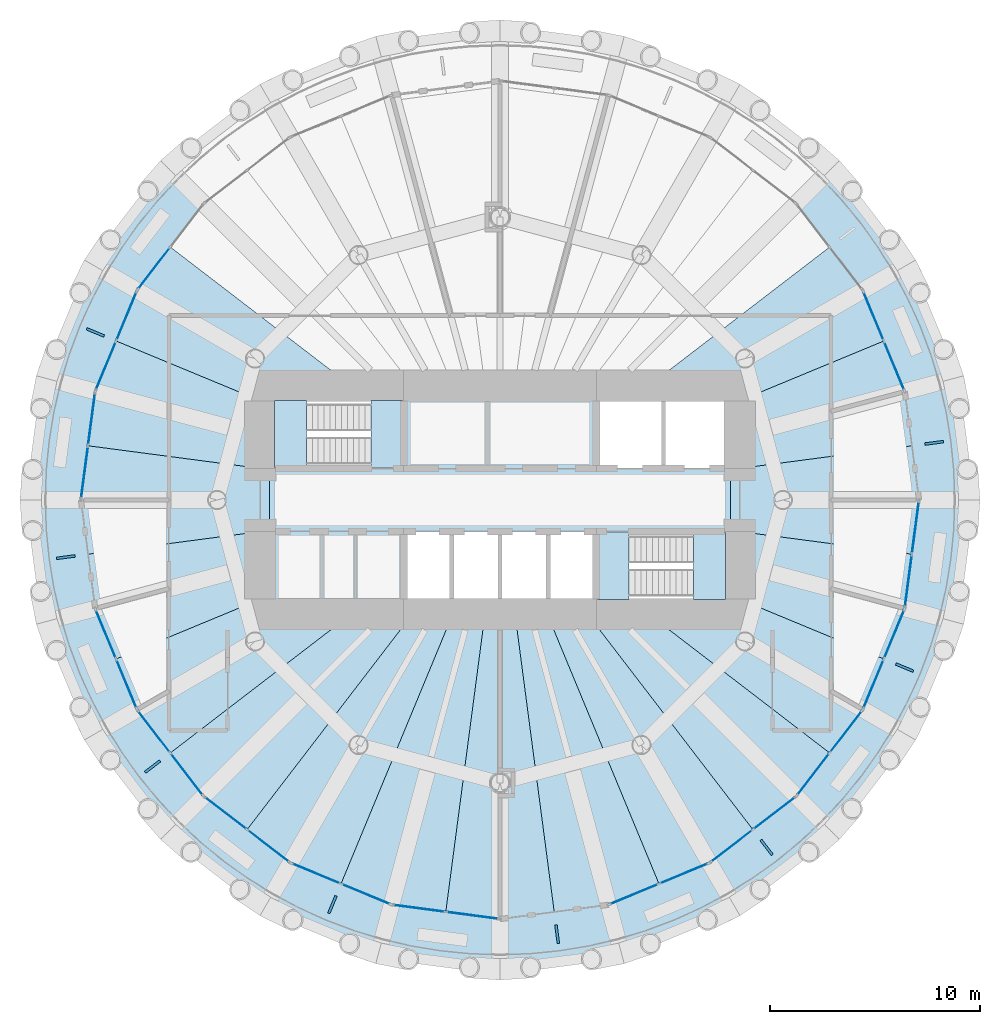
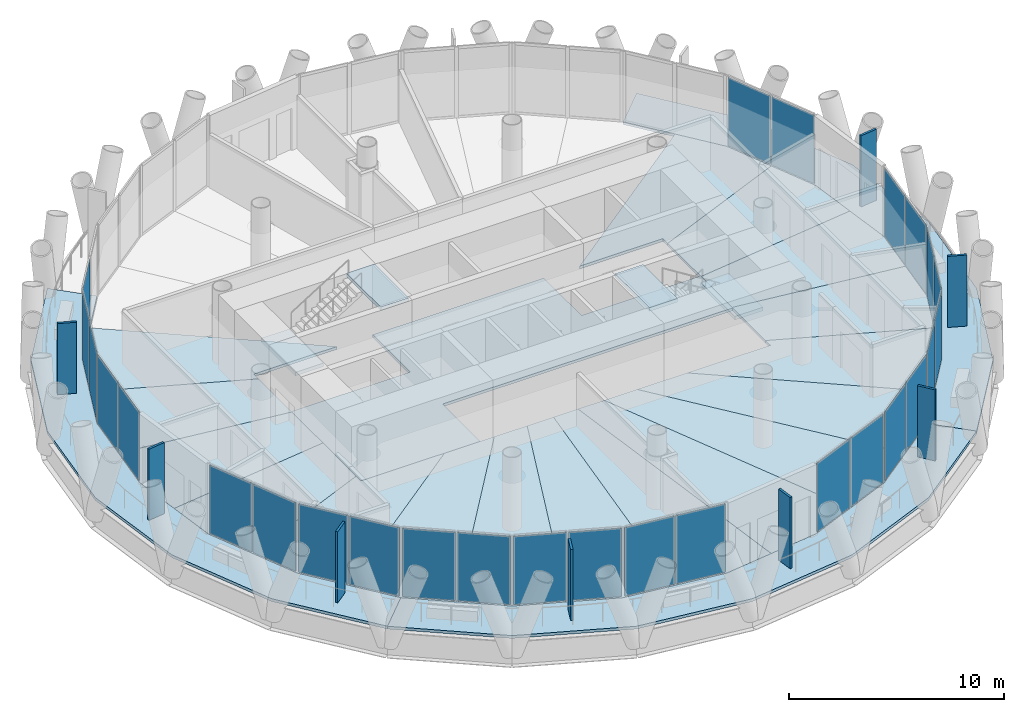
# One storey, part 7 of 13: 35 plates, 25 slabs, 16 elements without a shape of their own.
"""IFC4 building model written with IfcOpenShell, lengths in metres."""

from ifc_helpers import new_model, si_unit, direction, frame, origin, origin_2d, place, context, subcontext, project, spatial, polyline, rectangle, outline, extrude, material, layer, layer_set, type_object, element, aggregate, save


model = new_model("IFC4")

# Units and contexts
model_context = context("Model", 3, precision=1e-05, world=origin(), true_north=direction((0.0, 1.0)))
body_context = subcontext(model_context, "Body", "Model", "MODEL_VIEW")
ifc_project = project(units=[si_unit("LENGTHUNIT", "METRE"), si_unit("AREAUNIT", "SQUARE_METRE"), si_unit("VOLUMEUNIT", "CUBIC_METRE"), si_unit("PLANEANGLEUNIT", "RADIAN"), si_unit("MASSUNIT", "GRAM", prefix="KILO")], contexts=[model_context])

# Site, building, storey
site_placement = place(None, origin())
site = spatial("IfcSite", under=ifc_project, at=site_placement, CompositionType="ELEMENT")
building_placement = place(site_placement, origin())
building = spatial("IfcBuilding", under=site, at=building_placement, Name="Qaws Media Tower", CompositionType="ELEMENT")
storey_placement = place(building_placement, frame((0.0, 0.0, 244.39990234375)))
storey = spatial("IfcBuildingStorey", under=building, at=storey_placement, Name="L56", CompositionType="ELEMENT", Elevation=244.39990234375)

# Slabs
ifc_material_1 = material(Name="Concrete C35/45", Category="concrete")
ifc_layer_1 = layer(ifc_material_1, 0.159912109375)
ifc_layer_set_1 = layer_set([ifc_layer_1], Name="Composite balcony slab 160")
slab_type_1 = type_object("IfcSlabType", Name="Composite balcony slab 160", PredefinedType="FLOOR", material=ifc_layer_set_1)
slab_1_placement = place(storey_placement, frame((0.0, 0.0, -0.159912109375)))
element("IfcSlab", 1, at=slab_1_placement, inside=storey, type_object=slab_type_1, Name="S2 balcony slab L56 R10 to R16, movement joints on R10 and R16", PredefinedType="FLOOR", context=body_context, shape_type="SweptSolid", body=[
    extrude(outline(polyline([(40.60107421875, 38.800048828125), (38.36328125, 44.202392578125), (37.60009765625, 50.0), (38.36328125, 55.797607421875), (40.60107421875, 61.199951171875), (44.160888671875, 65.839111328125), (45.85791015625, 64.14208984375), (42.679443359375, 60.0), (40.681396484375, 55.176513671875), (40.0, 50.0), (40.681396484375, 44.823486328125), (42.679443359375, 40.0), (45.85791015625, 35.85791015625), (44.160888671875, 34.160888671875), (40.60107421875, 38.800048828125)])), origin(), (0.0, 0.0, 1.0), 0.159912109375),
])
slab_2_placement = place(storey_placement, frame((0.0, 0.0, -0.159912109375)))
element("IfcSlab", 2, at=slab_2_placement, inside=storey, type_object=slab_type_1, Name="S2 balcony slab L56 R16 to R22, movement joints on R16 and R22", PredefinedType="FLOOR", context=body_context, shape_type="SweptSolid", body=[
    extrude(outline(polyline([(71.199951171875, 30.60107421875), (65.797607421875, 28.36328125), (60.0, 27.60009765625), (54.202392578125, 28.36328125), (48.800048828125, 30.60107421875), (44.160888671875, 34.160888671875), (45.85791015625, 35.85791015625), (50.0, 32.679443359375), (54.823486328125, 30.681396484375), (60.0, 30.0), (65.176513671875, 30.681396484375), (70.0, 32.679443359375), (74.14208984375, 35.85791015625), (75.839111328125, 34.160888671875), (71.199951171875, 30.60107421875)])), origin(), (0.0, 0.0, 1.0), 0.159912109375),
])
slab_3_placement = place(storey_placement, frame((0.0, 0.0, -0.159912109375)))
element("IfcSlab", 3, at=slab_3_placement, inside=storey, type_object=slab_type_1, Name="S2 balcony slab L56 R22 to R04, movement joints on R22 and R04", PredefinedType="FLOOR", context=body_context, shape_type="SweptSolid", body=[
    extrude(outline(polyline([(79.39892578125, 38.800048828125), (75.839111328125, 34.160888671875), (74.14208984375, 35.85791015625), (77.320556640625, 40.0), (79.318603515625, 44.823486328125), (80.0, 50.0), (79.318603515625, 55.176513671875), (77.320556640625, 60.0), (74.14208984375, 64.14208984375), (75.839111328125, 65.839111328125), (79.39892578125, 61.199951171875), (81.63671875, 55.797607421875), (82.39990234375, 50.0), (81.63671875, 44.202392578125), (79.39892578125, 38.800048828125)])), origin(), (0.0, 0.0, 1.0), 0.159912109375),
])
ifc_material_2 = material(Name="Concrete C35/45", Category="concrete")
ifc_layer_2 = layer(ifc_material_2, 0.159912109375)
ifc_layer_set_2 = layer_set([ifc_layer_2], Name="Composite floor slab 160")
slab_type_2 = type_object("IfcSlabType", Name="Composite floor slab 160", PredefinedType="FLOOR", material=ifc_layer_set_2)
slab_4_placement = place(storey_placement, frame((0.0, 0.0, -0.159912109375)))
element("IfcSlab", 4, at=slab_4_placement, inside=storey, type_object=slab_type_2, Name="S1 core floor slab L56", PredefinedType="FLOOR", context=body_context, shape_type="SweptSolid", body=[
    extrude(outline(polyline([(71.0, 51.5), (71.0, 48.5), (55.39990234375, 48.5), (55.39990234375, 45.0), (49.0, 45.0), (49.0, 51.5), (55.39990234375, 51.5), (55.39990234375, 55.0), (64.60009765625, 55.0), (64.60009765625, 51.5), (71.0, 51.5)])), origin(), (0.0, 0.0, 1.0), 0.159912109375),
])
slab_5_placement = place(storey_placement, frame((0.0, 0.0, -0.159912109375)))
element("IfcSlab", 5, at=slab_5_placement, inside=storey, type_object=slab_type_2, Name="S1 floor panel L56 on R01", PredefinedType="FLOOR", context=body_context, shape_type="SweptSolid", body=[
    extrude(outline(polyline([(80.0, 50.0), (79.6591796875, 47.411865234375), (71.0, 48.5517578125), (71.0, 51.4482421875), (79.6591796875, 52.588134765625), (80.0, 50.0)])), origin(), (0.0, 0.0, 1.0), 0.159912109375),
])
slab_6_placement = place(storey_placement, frame((0.0, 0.0, -0.159912109375)))
element("IfcSlab", 6, at=slab_6_placement, inside=storey, type_object=slab_type_2, Name="S1 floor panel L56 on R02", PredefinedType="FLOOR", context=body_context, shape_type="SweptSolid", body=[
    extrude(outline(polyline([(79.318603515625, 55.176513671875), (79.6591796875, 52.588134765625), (71.0, 51.4482421875), (71.0, 54.556396484375), (78.319580078125, 57.588134765625), (79.318603515625, 55.176513671875)])), origin(), (0.0, 0.0, 1.0), 0.159912109375),
])
slab_7_placement = place(storey_placement, frame((0.0, 0.0, -0.159912109375)))
element("IfcSlab", 7, at=slab_7_placement, inside=storey, type_object=slab_type_2, Name="S1 floor panel L56 on R03", PredefinedType="FLOOR", context=body_context, shape_type="SweptSolid", body=[
    extrude(outline(polyline([(77.320556640625, 60.0), (78.319580078125, 57.588134765625), (71.0, 54.556396484375), (71.0, 55.0), (66.51611328125, 55.0), (75.731201171875, 62.071044921875), (77.320556640625, 60.0)])), origin(), (0.0, 0.0, 1.0), 0.159912109375),
])
slab_8_placement = place(storey_placement, frame((0.0, 0.0, -0.159912109375)))
element("IfcSlab", 8, at=slab_8_placement, inside=storey, type_object=slab_type_2, Name="S1 floor panel L56 on R11", PredefinedType="FLOOR", context=body_context, shape_type="SweptSolid", body=[
    extrude(outline(polyline([(42.679443359375, 60.0), (44.268798828125, 62.071044921875), (53.48388671875, 55.0), (49.0, 55.0), (49.0, 54.556396484375), (41.680419921875, 57.588134765625), (42.679443359375, 60.0)])), origin(), (0.0, 0.0, 1.0), 0.159912109375),
])
slab_9_placement = place(storey_placement, frame((0.0, 0.0, -0.159912109375)))
element("IfcSlab", 9, at=slab_9_placement, inside=storey, type_object=slab_type_2, Name="S1 floor panel L56 on R12", PredefinedType="FLOOR", context=body_context, shape_type="SweptSolid", body=[
    extrude(outline(polyline([(40.681396484375, 55.176513671875), (41.680419921875, 57.588134765625), (49.0, 54.556396484375), (49.0, 51.4482421875), (40.3408203125, 52.588134765625), (40.681396484375, 55.176513671875)])), origin(), (0.0, 0.0, 1.0), 0.159912109375),
])
slab_10_placement = place(storey_placement, frame((0.0, 0.0, -0.159912109375)))
element("IfcSlab", 10, at=slab_10_placement, inside=storey, type_object=slab_type_2, Name="S1 floor panel L56 on R13", PredefinedType="FLOOR", context=body_context, shape_type="SweptSolid", body=[
    extrude(outline(polyline([(40.0, 50.0), (40.3408203125, 52.588134765625), (49.0, 51.4482421875), (49.0, 48.5517578125), (40.3408203125, 47.411865234375), (40.0, 50.0)])), origin(), (0.0, 0.0, 1.0), 0.159912109375),
])
slab_11_placement = place(storey_placement, frame((0.0, 0.0, -0.159912109375)))
element("IfcSlab", 11, at=slab_11_placement, inside=storey, type_object=slab_type_2, Name="S1 floor panel L56 on R14", PredefinedType="FLOOR", context=body_context, shape_type="SweptSolid", body=[
    extrude(outline(polyline([(40.681396484375, 44.823486328125), (40.3408203125, 47.411865234375), (49.0, 48.5517578125), (49.0, 45.443603515625), (41.680419921875, 42.411865234375), (40.681396484375, 44.823486328125)])), origin(), (0.0, 0.0, 1.0), 0.159912109375),
])
slab_12_placement = place(storey_placement, frame((0.0, 0.0, -0.159912109375)))
element("IfcSlab", 12, at=slab_12_placement, inside=storey, type_object=slab_type_2, Name="S1 floor panel L56 on R15", PredefinedType="FLOOR", context=body_context, shape_type="SweptSolid", body=[
    extrude(outline(polyline([(42.679443359375, 40.0), (41.680419921875, 42.411865234375), (49.0, 45.443603515625), (49.0, 45.0), (53.48388671875, 45.0), (44.268798828125, 37.928955078125), (42.679443359375, 40.0)])), origin(), (0.0, 0.0, 1.0), 0.159912109375),
])
slab_13_placement = place(storey_placement, frame((0.0, 0.0, -0.159912109375)))
element("IfcSlab", 13, at=slab_13_placement, inside=storey, type_object=slab_type_2, Name="S1 floor panel L56 on R16", PredefinedType="FLOOR", context=body_context, shape_type="SweptSolid", body=[
    extrude(outline(polyline([(45.85791015625, 35.85791015625), (44.268798828125, 37.928955078125), (53.48388671875, 45.0), (56.163330078125, 45.0), (47.928955078125, 34.268798828125), (45.85791015625, 35.85791015625)])), origin(), (0.0, 0.0, 1.0), 0.159912109375),
])
slab_14_placement = place(storey_placement, frame((0.0, 0.0, -0.159912109375)))
element("IfcSlab", 14, at=slab_14_placement, inside=storey, type_object=slab_type_2, Name="S1 floor panel L56 on R17", PredefinedType="FLOOR", context=body_context, shape_type="SweptSolid", body=[
    extrude(outline(polyline([(50.0, 32.679443359375), (47.928955078125, 34.268798828125), (56.163330078125, 45.0), (57.928955078125, 45.0), (52.411865234375, 31.680419921875), (50.0, 32.679443359375)])), origin(), (0.0, 0.0, 1.0), 0.159912109375),
])
slab_15_placement = place(storey_placement, frame((0.0, 0.0, -0.159912109375)))
element("IfcSlab", 15, at=slab_15_placement, inside=storey, type_object=slab_type_2, Name="S1 floor panel L56 on R18", PredefinedType="FLOOR", context=body_context, shape_type="SweptSolid", body=[
    extrude(outline(polyline([(54.823486328125, 30.681396484375), (52.411865234375, 31.680419921875), (57.928955078125, 45.0), (59.341796875, 45.0), (57.411865234375, 30.3408203125), (54.823486328125, 30.681396484375)])), origin(), (0.0, 0.0, 1.0), 0.159912109375),
])
slab_16_placement = place(storey_placement, frame((0.0, 0.0, -0.159912109375)))
element("IfcSlab", 16, at=slab_16_placement, inside=storey, type_object=slab_type_2, Name="S1 floor panel L56 on R19", PredefinedType="FLOOR", context=body_context, shape_type="SweptSolid", body=[
    extrude(outline(polyline([(60.0, 30.0), (57.411865234375, 30.3408203125), (59.341796875, 45.0), (60.658203125, 45.0), (62.588134765625, 30.3408203125), (60.0, 30.0)])), origin(), (0.0, 0.0, 1.0), 0.159912109375),
])
slab_17_placement = place(storey_placement, frame((0.0, 0.0, -0.159912109375)))
element("IfcSlab", 17, at=slab_17_placement, inside=storey, type_object=slab_type_2, Name="S1 floor panel L56 on R20", PredefinedType="FLOOR", context=body_context, shape_type="SweptSolid", body=[
    extrude(outline(polyline([(65.176513671875, 30.681396484375), (62.588134765625, 30.3408203125), (60.658203125, 45.0), (62.071044921875, 45.0), (67.588134765625, 31.680419921875), (65.176513671875, 30.681396484375)])), origin(), (0.0, 0.0, 1.0), 0.159912109375),
])
slab_18_placement = place(storey_placement, frame((0.0, 0.0, -0.159912109375)))
element("IfcSlab", 18, at=slab_18_placement, inside=storey, type_object=slab_type_2, Name="S1 floor panel L56 on R21", PredefinedType="FLOOR", context=body_context, shape_type="SweptSolid", body=[
    extrude(outline(polyline([(70.0, 32.679443359375), (67.588134765625, 31.680419921875), (62.071044921875, 45.0), (63.836669921875, 45.0), (72.071044921875, 34.268798828125), (70.0, 32.679443359375)])), origin(), (0.0, 0.0, 1.0), 0.159912109375),
])
slab_19_placement = place(storey_placement, frame((0.0, 0.0, -0.159912109375)))
element("IfcSlab", 19, at=slab_19_placement, inside=storey, type_object=slab_type_2, Name="S1 floor panel L56 on R22", PredefinedType="FLOOR", context=body_context, shape_type="SweptSolid", body=[
    extrude(outline(polyline([(74.14208984375, 35.85791015625), (72.071044921875, 34.268798828125), (63.836669921875, 45.0), (66.51611328125, 45.0), (75.731201171875, 37.928955078125), (74.14208984375, 35.85791015625)])), origin(), (0.0, 0.0, 1.0), 0.159912109375),
])
slab_20_placement = place(storey_placement, frame((0.0, 0.0, -0.159912109375)))
element("IfcSlab", 20, at=slab_20_placement, inside=storey, type_object=slab_type_2, Name="S1 floor panel L56 on R23", PredefinedType="FLOOR", context=body_context, shape_type="SweptSolid", body=[
    extrude(outline(polyline([(77.320556640625, 40.0), (75.731201171875, 37.928955078125), (66.51611328125, 45.0), (71.0, 45.0), (71.0, 45.443603515625), (78.319580078125, 42.411865234375), (77.320556640625, 40.0)])), origin(), (0.0, 0.0, 1.0), 0.159912109375),
])
slab_21_placement = place(storey_placement, frame((0.0, 0.0, -0.159912109375)))
element("IfcSlab", 21, at=slab_21_placement, inside=storey, type_object=slab_type_2, Name="S1 floor panel L56 on R24", PredefinedType="FLOOR", context=body_context, shape_type="SweptSolid", body=[
    extrude(outline(polyline([(78.319580078125, 42.411865234375), (71.0, 45.443603515625), (71.0, 48.5517578125), (79.6591796875, 47.411865234375), (79.318603515625, 44.823486328125), (78.319580078125, 42.411865234375)])), origin(), (0.0, 0.0, 1.0), 0.159912109375),
])

# Curtain wall, plates
ifc_material_3 = material(Name="Aluminium and clear glass", Category="aluminium")
curtain_wall_type = type_object("IfcCurtainWallType", Name="Unitised curtain wall CW-C", PredefinedType="NOTDEFINED", material=ifc_material_3)
curtain_wall_1_placement = place(storey_placement, origin())
curtain_wall_1 = element("IfcCurtainWall", 22, at=curtain_wall_1_placement, inside=storey, type_object=curtain_wall_type, Name="CWC curtain wall L56-02", PredefinedType="NOTDEFINED")
ifc_material_4 = material(Name="Clear laminated double glazing", Category="glass")
ifc_layer_3 = layer(ifc_material_4, 0.031982421875)
ifc_layer_set_3 = layer_set([ifc_layer_3], Name="Curtain wall glass unit 32")
plate_type_1 = type_object("IfcPlateType", Name="Curtain wall glass unit 32", PredefinedType="CURTAIN_PANEL", material=ifc_layer_set_3)
plate_1_placement = place(storey_placement, frame((78.811279296875, 56.40087890625, 0.080078125), z_axis=(0.0, 0.0, 1.0), x_axis=(-0.382683528904, 0.923879492524, 0.0)))
plate_1 = element("IfcPlate", 23, at=plate_1_placement, type_object=plate_type_1, Name="CWC panel 1.1", PredefinedType="CURTAIN_PANEL", context=body_context, shape_type="SweptSolid", body=[
    extrude(rectangle(XDim=2.490478515625, YDim=0.031982421875, at=origin_2d()), origin(), (0.0, 0.0, 1.0), 3.8798828125),
])
plate_2_placement = place(storey_placement, frame((77.82763671875, 58.775634765625, 0.080078125), z_axis=(0.0, 0.0, 1.0), x_axis=(-0.382683528904, 0.923879492524, 0.0)))
plate_2 = element("IfcPlate", 24, at=plate_2_placement, type_object=plate_type_1, Name="CWC panel 2.1", PredefinedType="CURTAIN_PANEL", context=body_context, shape_type="SweptSolid", body=[
    extrude(rectangle(XDim=2.490478515625, YDim=0.031982421875, at=origin_2d()), origin(), (0.0, 0.0, 1.0), 3.8798828125),
])
aggregate(curtain_wall_1, [plate_1, plate_2])

# Curtain wall, plate
curtain_wall_2_placement = place(storey_placement, origin())
curtain_wall_2 = element("IfcCurtainWall", 25, at=curtain_wall_2_placement, inside=storey, type_object=curtain_wall_type, Name="CWC curtain wall L56-10", PredefinedType="NOTDEFINED")
plate_3_placement = place(storey_placement, frame((43.486328125, 61.051513671875, 0.080078125), z_axis=(0.0, 0.0, 1.0), x_axis=(-0.608761339712, -0.793353408811, 0.0)))
plate_3 = element("IfcPlate", 26, at=plate_3_placement, type_object=plate_type_1, Name="CWC panel 2.1", PredefinedType="CURTAIN_PANEL", context=body_context, shape_type="SweptSolid", body=[
    extrude(rectangle(XDim=2.490478515625, YDim=0.031982421875, at=origin_2d()), origin(), (0.0, 0.0, 1.0), 3.8798828125),
])
aggregate(curtain_wall_2, [plate_3])

# Curtain wall, plates
curtain_wall_3_placement = place(storey_placement, origin())
curtain_wall_3 = element("IfcCurtainWall", 27, at=curtain_wall_3_placement, inside=storey, type_object=curtain_wall_type, Name="CWC curtain wall L56-11", PredefinedType="NOTDEFINED")
plate_4_placement = place(storey_placement, frame((42.17236328125, 58.775634765625, 0.080078125), z_axis=(0.0, 0.0, 1.0), x_axis=(-0.382683528904, -0.923879492524, 0.0)))
plate_4 = element("IfcPlate", 28, at=plate_4_placement, type_object=plate_type_1, Name="CWC panel 1.1", PredefinedType="CURTAIN_PANEL", context=body_context, shape_type="SweptSolid", body=[
    extrude(rectangle(XDim=2.490478515625, YDim=0.031982421875, at=origin_2d()), origin(), (0.0, 0.0, 1.0), 3.8798828125),
])
plate_5_placement = place(storey_placement, frame((41.188720703125, 56.40087890625, 0.080078125), z_axis=(0.0, 0.0, 1.0), x_axis=(-0.382683528904, -0.923879492524, 0.0)))
plate_5 = element("IfcPlate", 29, at=plate_5_placement, type_object=plate_type_1, Name="CWC panel 2.1", PredefinedType="CURTAIN_PANEL", context=body_context, shape_type="SweptSolid", body=[
    extrude(rectangle(XDim=2.490478515625, YDim=0.031982421875, at=origin_2d()), origin(), (0.0, 0.0, 1.0), 3.8798828125),
])
aggregate(curtain_wall_3, [plate_4, plate_5])

curtain_wall_4_placement = place(storey_placement, origin())
curtain_wall_4 = element("IfcCurtainWall", 30, at=curtain_wall_4_placement, inside=storey, type_object=curtain_wall_type, Name="CWC curtain wall L56-12", PredefinedType="NOTDEFINED")
plate_6_placement = place(storey_placement, frame((40.508544921875, 53.862548828125, 0.080078125), z_axis=(0.0, 0.0, 1.0), x_axis=(-0.130526100509, -0.991444873448, 0.0)))
plate_6 = element("IfcPlate", 31, at=plate_6_placement, type_object=plate_type_1, Name="CWC panel 1.1", PredefinedType="CURTAIN_PANEL", context=body_context, shape_type="SweptSolid", body=[
    extrude(rectangle(XDim=2.490478515625, YDim=0.031982421875, at=origin_2d()), origin(), (0.0, 0.0, 1.0), 3.8798828125),
])
plate_7_placement = place(storey_placement, frame((40.173095703125, 51.31396484375, 0.080078125), z_axis=(0.0, 0.0, 1.0), x_axis=(-0.130526100509, -0.991444873448, 0.0)))
plate_7 = element("IfcPlate", 32, at=plate_7_placement, type_object=plate_type_1, Name="CWC panel 2.1", PredefinedType="CURTAIN_PANEL", context=body_context, shape_type="SweptSolid", body=[
    extrude(rectangle(XDim=2.490478515625, YDim=0.031982421875, at=origin_2d()), origin(), (0.0, 0.0, 1.0), 3.8798828125),
])
aggregate(curtain_wall_4, [plate_6, plate_7])

curtain_wall_5_placement = place(storey_placement, origin())
curtain_wall_5 = element("IfcCurtainWall", 33, at=curtain_wall_5_placement, inside=storey, type_object=curtain_wall_type, Name="CWC curtain wall L56-14", PredefinedType="NOTDEFINED")
plate_8_placement = place(storey_placement, frame((41.188720703125, 43.59912109375, 0.080078125), z_axis=(0.0, 0.0, 1.0), x_axis=(0.382683528904, -0.923879492524, 0.0)))
plate_8 = element("IfcPlate", 34, at=plate_8_placement, type_object=plate_type_1, Name="CWC panel 1.1", PredefinedType="CURTAIN_PANEL", context=body_context, shape_type="SweptSolid", body=[
    extrude(rectangle(XDim=2.490478515625, YDim=0.031982421875, at=origin_2d()), origin(), (0.0, 0.0, 1.0), 3.8798828125),
])
plate_9_placement = place(storey_placement, frame((42.17236328125, 41.224365234375, 0.080078125), z_axis=(0.0, 0.0, 1.0), x_axis=(0.382683528904, -0.923879492524, 0.0)))
plate_9 = element("IfcPlate", 35, at=plate_9_placement, type_object=plate_type_1, Name="CWC panel 2.1", PredefinedType="CURTAIN_PANEL", context=body_context, shape_type="SweptSolid", body=[
    extrude(rectangle(XDim=2.490478515625, YDim=0.031982421875, at=origin_2d()), origin(), (0.0, 0.0, 1.0), 3.8798828125),
])
aggregate(curtain_wall_5, [plate_8, plate_9])

curtain_wall_6_placement = place(storey_placement, origin())
curtain_wall_6 = element("IfcCurtainWall", 36, at=curtain_wall_6_placement, inside=storey, type_object=curtain_wall_type, Name="CWC curtain wall L56-15", PredefinedType="NOTDEFINED")
plate_10_placement = place(storey_placement, frame((43.486328125, 38.948486328125, 0.080078125), z_axis=(0.0, 0.0, 1.0), x_axis=(0.608761339712, -0.793353408811, 0.0)))
plate_10 = element("IfcPlate", 37, at=plate_10_placement, type_object=plate_type_1, Name="CWC panel 1.1", PredefinedType="CURTAIN_PANEL", context=body_context, shape_type="SweptSolid", body=[
    extrude(rectangle(XDim=2.490478515625, YDim=0.031982421875, at=origin_2d()), origin(), (0.0, 0.0, 1.0), 3.8798828125),
])
plate_11_placement = place(storey_placement, frame((45.051025390625, 36.9091796875, 0.080078125), z_axis=(0.0, 0.0, 1.0), x_axis=(0.608761339712, -0.793353408811, 0.0)))
plate_11 = element("IfcPlate", 38, at=plate_11_placement, type_object=plate_type_1, Name="CWC panel 2.1", PredefinedType="CURTAIN_PANEL", context=body_context, shape_type="SweptSolid", body=[
    extrude(rectangle(XDim=2.490478515625, YDim=0.031982421875, at=origin_2d()), origin(), (0.0, 0.0, 1.0), 3.8798828125),
])
aggregate(curtain_wall_6, [plate_10, plate_11])

curtain_wall_7_placement = place(storey_placement, origin())
curtain_wall_7 = element("IfcCurtainWall", 39, at=curtain_wall_7_placement, inside=storey, type_object=curtain_wall_type, Name="CWC curtain wall L56-16", PredefinedType="NOTDEFINED")
plate_12_placement = place(storey_placement, frame((46.9091796875, 35.051025390625, 0.080078125), z_axis=(0.0, 0.0, 1.0), x_axis=(0.793353408811, -0.608761339712, 0.0)))
plate_12 = element("IfcPlate", 40, at=plate_12_placement, type_object=plate_type_1, Name="CWC panel 1.1", PredefinedType="CURTAIN_PANEL", context=body_context, shape_type="SweptSolid", body=[
    extrude(rectangle(XDim=2.490478515625, YDim=0.031982421875, at=origin_2d()), origin(), (0.0, 0.0, 1.0), 3.8798828125),
])
plate_13_placement = place(storey_placement, frame((48.948486328125, 33.486328125, 0.080078125), z_axis=(0.0, 0.0, 1.0), x_axis=(0.793353408811, -0.608761339712, 0.0)))
plate_13 = element("IfcPlate", 41, at=plate_13_placement, type_object=plate_type_1, Name="CWC panel 2.1", PredefinedType="CURTAIN_PANEL", context=body_context, shape_type="SweptSolid", body=[
    extrude(rectangle(XDim=2.490478515625, YDim=0.031982421875, at=origin_2d()), origin(), (0.0, 0.0, 1.0), 3.8798828125),
])
aggregate(curtain_wall_7, [plate_12, plate_13])

curtain_wall_8_placement = place(storey_placement, origin())
curtain_wall_8 = element("IfcCurtainWall", 42, at=curtain_wall_8_placement, inside=storey, type_object=curtain_wall_type, Name="CWC curtain wall L56-17", PredefinedType="NOTDEFINED")
plate_14_placement = place(storey_placement, frame((51.224365234375, 32.17236328125, 0.080078125), z_axis=(0.0, 0.0, 1.0), x_axis=(0.923879492524, -0.382683528904, 0.0)))
plate_14 = element("IfcPlate", 43, at=plate_14_placement, type_object=plate_type_1, Name="CWC panel 1.1", PredefinedType="CURTAIN_PANEL", context=body_context, shape_type="SweptSolid", body=[
    extrude(rectangle(XDim=2.490478515625, YDim=0.031982421875, at=origin_2d()), origin(), (0.0, 0.0, 1.0), 3.8798828125),
])
plate_15_placement = place(storey_placement, frame((53.59912109375, 31.188720703125, 0.080078125), z_axis=(0.0, 0.0, 1.0), x_axis=(0.923879492524, -0.382683528904, 0.0)))
plate_15 = element("IfcPlate", 44, at=plate_15_placement, type_object=plate_type_1, Name="CWC panel 2.1", PredefinedType="CURTAIN_PANEL", context=body_context, shape_type="SweptSolid", body=[
    extrude(rectangle(XDim=2.490478515625, YDim=0.031982421875, at=origin_2d()), origin(), (0.0, 0.0, 1.0), 3.8798828125),
])
aggregate(curtain_wall_8, [plate_14, plate_15])

curtain_wall_9_placement = place(storey_placement, origin())
curtain_wall_9 = element("IfcCurtainWall", 45, at=curtain_wall_9_placement, inside=storey, type_object=curtain_wall_type, Name="CWC curtain wall L56-18", PredefinedType="NOTDEFINED")
plate_16_placement = place(storey_placement, frame((56.137451171875, 30.508544921875, 0.080078125), z_axis=(0.0, 0.0, 1.0), x_axis=(0.991444873448, -0.130526100509, 0.0)))
plate_16 = element("IfcPlate", 46, at=plate_16_placement, type_object=plate_type_1, Name="CWC panel 1.1", PredefinedType="CURTAIN_PANEL", context=body_context, shape_type="SweptSolid", body=[
    extrude(rectangle(XDim=2.490478515625, YDim=0.031982421875, at=origin_2d()), origin(), (0.0, 0.0, 1.0), 3.8798828125),
])
plate_17_placement = place(storey_placement, frame((58.68603515625, 30.173095703125, 0.080078125), z_axis=(0.0, 0.0, 1.0), x_axis=(0.991444873448, -0.130526100509, 0.0)))
plate_17 = element("IfcPlate", 47, at=plate_17_placement, type_object=plate_type_1, Name="CWC panel 2.1", PredefinedType="CURTAIN_PANEL", context=body_context, shape_type="SweptSolid", body=[
    extrude(rectangle(XDim=2.490478515625, YDim=0.031982421875, at=origin_2d()), origin(), (0.0, 0.0, 1.0), 3.8798828125),
])
aggregate(curtain_wall_9, [plate_16, plate_17])

curtain_wall_10_placement = place(storey_placement, origin())
curtain_wall_10 = element("IfcCurtainWall", 48, at=curtain_wall_10_placement, inside=storey, type_object=curtain_wall_type, Name="CWC curtain wall L56-20", PredefinedType="NOTDEFINED")
plate_18_placement = place(storey_placement, frame((66.40087890625, 31.188720703125, 0.080078125), z_axis=(0.0, 0.0, 1.0), x_axis=(0.923879492524, 0.382683528904, 0.0)))
plate_18 = element("IfcPlate", 49, at=plate_18_placement, type_object=plate_type_1, Name="CWC panel 1.1", PredefinedType="CURTAIN_PANEL", context=body_context, shape_type="SweptSolid", body=[
    extrude(rectangle(XDim=2.490478515625, YDim=0.031982421875, at=origin_2d()), origin(), (0.0, 0.0, 1.0), 3.8798828125),
])
plate_19_placement = place(storey_placement, frame((68.775634765625, 32.17236328125, 0.080078125), z_axis=(0.0, 0.0, 1.0), x_axis=(0.923879492524, 0.382683528904, 0.0)))
plate_19 = element("IfcPlate", 50, at=plate_19_placement, type_object=plate_type_1, Name="CWC panel 2.1", PredefinedType="CURTAIN_PANEL", context=body_context, shape_type="SweptSolid", body=[
    extrude(rectangle(XDim=2.490478515625, YDim=0.031982421875, at=origin_2d()), origin(), (0.0, 0.0, 1.0), 3.8798828125),
])
aggregate(curtain_wall_10, [plate_18, plate_19])

curtain_wall_11_placement = place(storey_placement, origin())
curtain_wall_11 = element("IfcCurtainWall", 51, at=curtain_wall_11_placement, inside=storey, type_object=curtain_wall_type, Name="CWC curtain wall L56-21", PredefinedType="NOTDEFINED")
plate_20_placement = place(storey_placement, frame((71.051513671875, 33.486328125, 0.080078125), z_axis=(0.0, 0.0, 1.0), x_axis=(0.793353408811, 0.608761339712, 0.0)))
plate_20 = element("IfcPlate", 52, at=plate_20_placement, type_object=plate_type_1, Name="CWC panel 1.1", PredefinedType="CURTAIN_PANEL", context=body_context, shape_type="SweptSolid", body=[
    extrude(rectangle(XDim=2.490478515625, YDim=0.031982421875, at=origin_2d()), origin(), (0.0, 0.0, 1.0), 3.8798828125),
])
plate_21_placement = place(storey_placement, frame((73.0908203125, 35.051025390625, 0.080078125), z_axis=(0.0, 0.0, 1.0), x_axis=(0.793353408811, 0.608761339712, 0.0)))
plate_21 = element("IfcPlate", 53, at=plate_21_placement, type_object=plate_type_1, Name="CWC panel 2.1", PredefinedType="CURTAIN_PANEL", context=body_context, shape_type="SweptSolid", body=[
    extrude(rectangle(XDim=2.490478515625, YDim=0.031982421875, at=origin_2d()), origin(), (0.0, 0.0, 1.0), 3.8798828125),
])
aggregate(curtain_wall_11, [plate_20, plate_21])

curtain_wall_12_placement = place(storey_placement, origin())
curtain_wall_12 = element("IfcCurtainWall", 54, at=curtain_wall_12_placement, inside=storey, type_object=curtain_wall_type, Name="CWC curtain wall L56-22", PredefinedType="NOTDEFINED")
plate_22_placement = place(storey_placement, frame((74.948974609375, 36.9091796875, 0.080078125), z_axis=(0.0, 0.0, 1.0), x_axis=(0.608761339712, 0.793353408811, 0.0)))
plate_22 = element("IfcPlate", 55, at=plate_22_placement, type_object=plate_type_1, Name="CWC panel 1.1", PredefinedType="CURTAIN_PANEL", context=body_context, shape_type="SweptSolid", body=[
    extrude(rectangle(XDim=2.490478515625, YDim=0.031982421875, at=origin_2d()), origin(), (0.0, 0.0, 1.0), 3.8798828125),
])
plate_23_placement = place(storey_placement, frame((76.513671875, 38.948486328125, 0.080078125), z_axis=(0.0, 0.0, 1.0), x_axis=(0.608761339712, 0.793353408811, 0.0)))
plate_23 = element("IfcPlate", 56, at=plate_23_placement, type_object=plate_type_1, Name="CWC panel 2.1", PredefinedType="CURTAIN_PANEL", context=body_context, shape_type="SweptSolid", body=[
    extrude(rectangle(XDim=2.490478515625, YDim=0.031982421875, at=origin_2d()), origin(), (0.0, 0.0, 1.0), 3.8798828125),
])
aggregate(curtain_wall_12, [plate_22, plate_23])

curtain_wall_13_placement = place(storey_placement, origin())
curtain_wall_13 = element("IfcCurtainWall", 57, at=curtain_wall_13_placement, inside=storey, type_object=curtain_wall_type, Name="CWC curtain wall L56-23", PredefinedType="NOTDEFINED")
plate_24_placement = place(storey_placement, frame((77.82763671875, 41.224365234375, 0.080078125), z_axis=(0.0, 0.0, 1.0), x_axis=(0.382683528904, 0.923879492524, 0.0)))
plate_24 = element("IfcPlate", 58, at=plate_24_placement, type_object=plate_type_1, Name="CWC panel 1.1", PredefinedType="CURTAIN_PANEL", context=body_context, shape_type="SweptSolid", body=[
    extrude(rectangle(XDim=2.490478515625, YDim=0.031982421875, at=origin_2d()), origin(), (0.0, 0.0, 1.0), 3.8798828125),
])
plate_25_placement = place(storey_placement, frame((78.811279296875, 43.59912109375, 0.080078125), z_axis=(0.0, 0.0, 1.0), x_axis=(0.382683528904, 0.923879492524, 0.0)))
plate_25 = element("IfcPlate", 59, at=plate_25_placement, type_object=plate_type_1, Name="CWC panel 2.1", PredefinedType="CURTAIN_PANEL", context=body_context, shape_type="SweptSolid", body=[
    extrude(rectangle(XDim=2.490478515625, YDim=0.031982421875, at=origin_2d()), origin(), (0.0, 0.0, 1.0), 3.8798828125),
])
aggregate(curtain_wall_13, [plate_24, plate_25])

curtain_wall_14_placement = place(storey_placement, origin())
curtain_wall_14 = element("IfcCurtainWall", 60, at=curtain_wall_14_placement, inside=storey, type_object=curtain_wall_type, Name="CWC curtain wall L56-24", PredefinedType="NOTDEFINED")
plate_26_placement = place(storey_placement, frame((79.491455078125, 46.137451171875, 0.080078125), z_axis=(0.0, 0.0, 1.0), x_axis=(0.130526100509, 0.991444873448, 0.0)))
plate_26 = element("IfcPlate", 61, at=plate_26_placement, type_object=plate_type_1, Name="CWC panel 1.1", PredefinedType="CURTAIN_PANEL", context=body_context, shape_type="SweptSolid", body=[
    extrude(rectangle(XDim=2.490478515625, YDim=0.031982421875, at=origin_2d()), origin(), (0.0, 0.0, 1.0), 3.8798828125),
])
plate_27_placement = place(storey_placement, frame((79.826904296875, 48.68603515625, 0.080078125), z_axis=(0.0, 0.0, 1.0), x_axis=(0.130526100509, 0.991444873448, 0.0)))
plate_27 = element("IfcPlate", 62, at=plate_27_placement, type_object=plate_type_1, Name="CWC panel 2.1", PredefinedType="CURTAIN_PANEL", context=body_context, shape_type="SweptSolid", body=[
    extrude(rectangle(XDim=2.490478515625, YDim=0.031982421875, at=origin_2d()), origin(), (0.0, 0.0, 1.0), 3.8798828125),
])
aggregate(curtain_wall_14, [plate_26, plate_27])

# Plates
ifc_material_5 = material(Name="Precast concrete screen fin", Category="concrete")
ifc_layer_4 = layer(ifc_material_5, 0.1201171875)
ifc_layer_set_4 = layer_set([ifc_layer_4], Name="Screen fin 120x900")
plate_type_2 = type_object("IfcPlateType", Name="Screen fin 120x900", PredefinedType="USERDEFINED", material=ifc_layer_set_4)
for number, where, z_axis, x_axis, name in (
    (63, (80.72119140625, 52.72802734375, 0.0), (0.0, 0.0, 1.0), (0.991444861374, 0.13052619222, 0.0), "SCR1 screen fin L56-01"),
    (64, (40.69091796875, 57.998046875, 0.0), (0.0, 0.0, 1.0), (-0.923879532511, 0.382683432365, 0.0), "SCR1 screen fin L56-06"),
    (65, (39.27880859375, 47.27197265625, 0.0), (0.0, 0.0, 1.0), (-0.991444861374, -0.13052619222, 0.0), "SCR1 screen fin L56-07"),
    (66, (43.4189453125, 37.27685546875, 0.0), (0.0, 0.0, 1.0), (-0.793353340291, -0.608761429009, 0.0), "SCR1 screen fin L56-08"),
    (67, (52.001953125, 30.69091796875, 0.0), (0.0, 0.0, 1.0), (-0.382683432365, -0.923879532511, 0.0), "SCR1 screen fin L56-09"),
    (68, (62.72802734375, 29.27880859375, 0.0), (0.0, 0.0, 1.0), (0.13052619222, -0.991444861374, 0.0), "SCR1 screen fin L56-10"),
    (69, (72.72314453125, 33.4189453125, 0.0), (0.0, 0.0, 1.0), (0.608761429009, -0.793353340291, 0.0), "SCR1 screen fin L56-11"),
    (70, (79.30908203125, 42.001953125, 0.0), (0.0, 0.0, 1.0), (0.923879532511, -0.382683432365, 0.0), "SCR1 screen fin L56-12"),
):
    element("IfcPlate", number, at=place(storey_placement, frame(where, z_axis=z_axis, x_axis=x_axis)), inside=storey, type_object=plate_type_2, Name=name, ObjectType="SCREEN", PredefinedType="USERDEFINED", context=body_context, shape_type="SweptSolid", body=[
        extrude(rectangle(XDim=0.89990234375, YDim=0.1201171875, at=origin_2d()), origin(), (0.0, 0.0, 1.0), 4.0400390625),
    ])

# Stair, slabs
ifc_material_6 = material(Name="Concrete C40/50", Category="concrete")
stair_type = type_object("IfcStairType", Name="Exit stair", PredefinedType="HALF_TURN_STAIR", material=ifc_material_6)
stair_1_placement = place(storey_placement, origin())
stair_1 = element("IfcStair", 71, at=stair_1_placement, inside=storey, type_object=stair_type, Name="S1 exit stair L56", PredefinedType="HALF_TURN_STAIR")
ifc_material_7 = material(Name="Concrete C40/50", Category="concrete")
ifc_layer_5 = layer(ifc_material_7, 0.199951171875)
ifc_layer_set_5 = layer_set([ifc_layer_5], Name="Stair landing 200")
slab_type_3 = type_object("IfcSlabType", Name="Stair landing 200", PredefinedType="LANDING", material=ifc_layer_set_5)
slab_22_placement = place(storey_placement, frame((0.0, 0.0, 1.900146484375)))
slab_22 = element("IfcSlab", 72, at=slab_22_placement, type_object=slab_type_3, Name="S1 landing 1", PredefinedType="LANDING", context=body_context, shape_type="SweptSolid", body=[
    extrude(outline(polyline([(49.25, 51.550048828125), (50.760009765625, 51.550048828125), (50.760009765625, 54.75), (49.25, 54.75), (49.25, 51.550048828125)])), origin(), (0.0, 0.0, 1.0), 0.199951171875),
])
slab_23_placement = place(storey_placement, frame((0.0, 0.0, 4.0)))
slab_23 = element("IfcSlab", 73, at=slab_23_placement, type_object=slab_type_3, Name="S1 landing 2", PredefinedType="LANDING", context=body_context, shape_type="SweptSolid", body=[
    extrude(outline(polyline([(53.840087890625, 51.550048828125), (55.35009765625, 51.550048828125), (55.35009765625, 54.75), (53.840087890625, 54.75), (53.840087890625, 51.550048828125)])), origin(), (0.0, 0.0, 1.0), 0.2001953125),
])
aggregate(stair_1, [slab_22, slab_23])

stair_2_placement = place(storey_placement, origin())
stair_2 = element("IfcStair", 74, at=stair_2_placement, inside=storey, type_object=stair_type, Name="S2 exit stair L56", PredefinedType="HALF_TURN_STAIR")
slab_24_placement = place(storey_placement, frame((0.0, 0.0, 1.900146484375)))
slab_24 = element("IfcSlab", 75, at=slab_24_placement, type_object=slab_type_3, Name="S2 landing 1", PredefinedType="LANDING", context=body_context, shape_type="SweptSolid", body=[
    extrude(outline(polyline([(69.239990234375, 45.25), (70.75, 45.25), (70.75, 48.449951171875), (69.239990234375, 48.449951171875), (69.239990234375, 45.25)])), origin(), (0.0, 0.0, 1.0), 0.199951171875),
])
slab_25_placement = place(storey_placement, frame((0.0, 0.0, 4.0)))
slab_25 = element("IfcSlab", 76, at=slab_25_placement, type_object=slab_type_3, Name="S2 landing 2", PredefinedType="LANDING", context=body_context, shape_type="SweptSolid", body=[
    extrude(outline(polyline([(64.64990234375, 45.25), (66.159912109375, 45.25), (66.159912109375, 48.449951171875), (64.64990234375, 48.449951171875), (64.64990234375, 45.25)])), origin(), (0.0, 0.0, 1.0), 0.2001953125),
])
aggregate(stair_2, [slab_24, slab_25])

save(model, "model.ifc")
